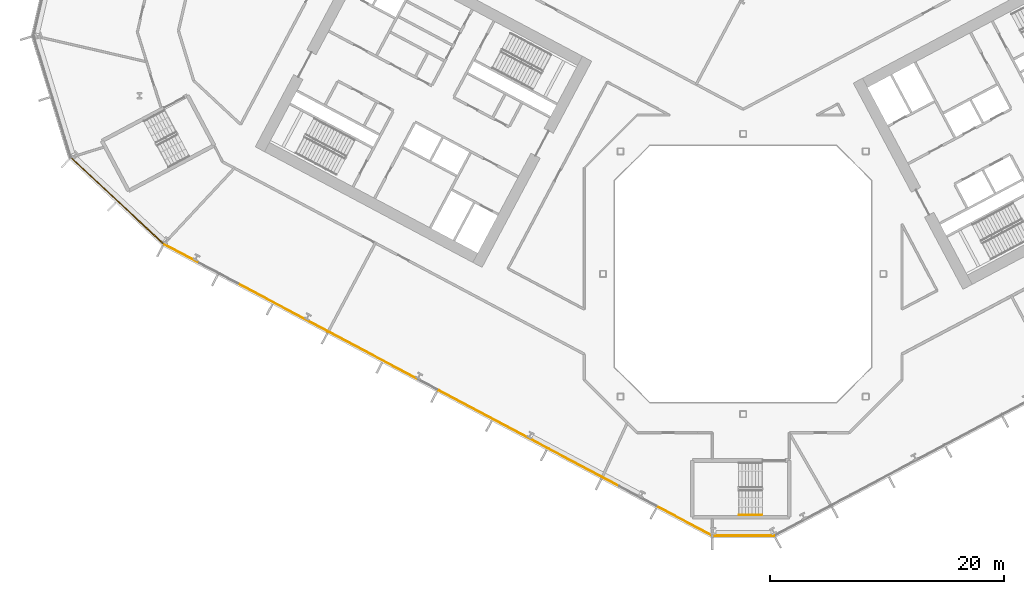
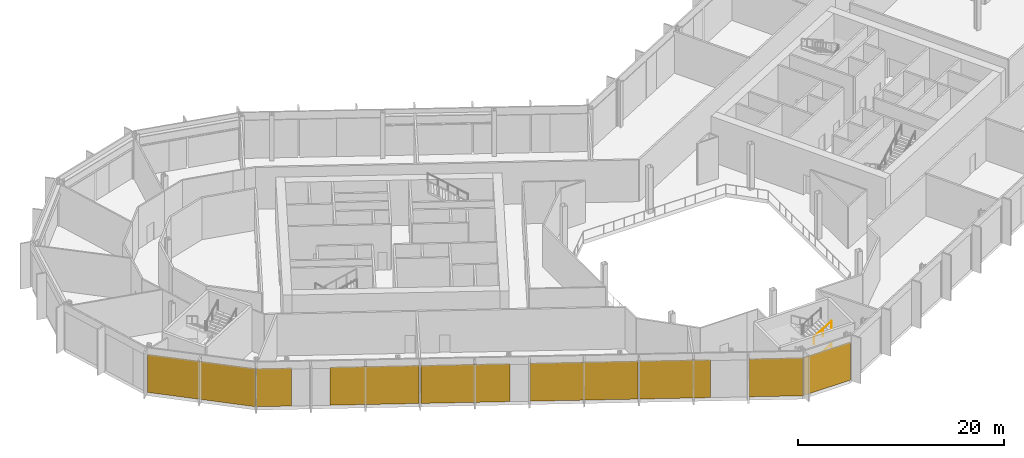
# One storey, part 19 of 30: 8 coverings, 2 railings, 3 elements without a shape of their own.
"""IFC4 building model written with IfcOpenShell, lengths in metres."""

from ifc_helpers import new_model, si_unit, direction, frame, origin, origin_2d, place, context, subcontext, project, spatial, polyline, rectangle, outline, extrude, material, layer, layer_set, type_object, element, aggregate, save


model = new_model("IFC4")

# Units and contexts
model_context = context("Model", 3, precision=1e-05, world=origin(), true_north=direction((0.0, 1.0)))
body_context = subcontext(model_context, "Body", "Model", "MODEL_VIEW")
ifc_project = project(units=[si_unit("LENGTHUNIT", "METRE"), si_unit("AREAUNIT", "SQUARE_METRE"), si_unit("VOLUMEUNIT", "CUBIC_METRE"), si_unit("PLANEANGLEUNIT", "RADIAN"), si_unit("MASSUNIT", "GRAM", prefix="KILO")], contexts=[model_context])

# Site, building, storey
site_placement = place(None, origin())
site = spatial("IfcSite", under=ifc_project, at=site_placement, CompositionType="ELEMENT")
building_placement = place(site_placement, origin())
building = spatial("IfcBuilding", under=site, at=building_placement, Name="Cormorant Relay Tower", CompositionType="ELEMENT")
storey_placement = place(building_placement, frame((0.0, 0.0, 44.60009765625)))
storey = spatial("IfcBuildingStorey", under=building, at=storey_placement, Name="L08", CompositionType="ELEMENT", Elevation=44.60009765625)

# Curtain wall, covering
ifc_material_1 = material(Name="Aluminium 6063-T6 anodised bronze", Category="aluminium")
ifc_layer_1 = layer(ifc_material_1, 0.235107421875)
ifc_layer_set_1 = layer_set([ifc_layer_1], Name="CW6 data hall curtain wall with mineral wool panels")
curtain_wall_type = type_object("IfcCurtainWallType", Name="CW6 data hall curtain wall with mineral wool panels", PredefinedType="NOTDEFINED", material=ifc_layer_set_1)
curtain_wall_1_placement = place(storey_placement, origin())
curtain_wall_1 = element("IfcCurtainWall", 1, at=curtain_wall_1_placement, inside=storey, type_object=curtain_wall_type, Name="CW6 curtain wall 1", PredefinedType="NOTDEFINED")
ifc_material_2 = material(Name="Mineral wool cored anodised bronze aluminium cassette panel", Category="aluminium")
ifc_layer_2 = layer(ifc_material_2, 0.074951171875)
ifc_layer_set_2 = layer_set([ifc_layer_2], Name="CW6 mineral wool cassette panel 75")
covering_type = type_object("IfcCoveringType", Name="CW6 mineral wool cassette panel 75", PredefinedType="CLADDING", material=ifc_layer_set_2)
covering_1_placement = place(storey_placement, frame((0.03759765625, -22.4130859375, 0.0), z_axis=(0.0, 0.0, 1.0), x_axis=(1.0, 0.0, 0.0)))
covering_1 = element("IfcCovering", 2, at=covering_1_placement, type_object=covering_type, Name="CW6 panel S00", PredefinedType="CLADDING", context=body_context, shape_type="SweptSolid", body=[
    extrude(rectangle(XDim=5.22265625, YDim=0.074951171875, at=origin_2d()), origin(), (0.0, 0.0, 1.0), 4.5),
])
aggregate(curtain_wall_1, [covering_1])

curtain_wall_2_placement = place(storey_placement, origin())
curtain_wall_2 = element("IfcCurtainWall", 3, at=curtain_wall_2_placement, inside=storey, type_object=curtain_wall_type, Name="CW6 curtain wall 13", PredefinedType="NOTDEFINED")
covering_2_placement = place(storey_placement, frame((-53.564697265625, 6.238037109375, 0.0), z_axis=(0.0, 0.0, 1.0), x_axis=(0.731353701619, -0.681998360062, 0.0)))
covering_2 = element("IfcCovering", 4, at=covering_2_placement, type_object=covering_type, Name="CW6 panel S00", PredefinedType="CLADDING", context=body_context, shape_type="SweptSolid", body=[
    extrude(rectangle(XDim=10.79541015625, YDim=0.074951171875, at=origin_2d()), origin(), (0.0, 0.0, 1.0), 4.5),
])
aggregate(curtain_wall_2, [covering_2])

# Curtain wall, coverings
curtain_wall_3_placement = place(storey_placement, origin())
curtain_wall_3 = element("IfcCurtainWall", 5, at=curtain_wall_3_placement, inside=storey, type_object=curtain_wall_type, Name="CW6 curtain wall 14", PredefinedType="NOTDEFINED")
covering_3_placement = place(storey_placement, frame((-48.056640625, 1.7255859375, 0.0), z_axis=(0.0, 0.0, 1.0), x_axis=(0.882947592859, -0.469471562786, 0.0)))
covering_3 = element("IfcCovering", 6, at=covering_3_placement, type_object=covering_type, Name="CW6 panel S00", PredefinedType="CLADDING", context=body_context, shape_type="SweptSolid", body=[
    extrude(rectangle(XDim=3.36669921875, YDim=0.074951171875, at=origin_2d()), origin(), (0.0, 0.0, 1.0), 4.5),
])
covering_4_placement = place(storey_placement, frame((-39.426025390625, -2.86328125, 0.0), z_axis=(0.0, 0.0, 1.0), x_axis=(0.882947592859, -0.469471562786, 0.0)))
covering_4 = element("IfcCovering", 7, at=covering_4_placement, type_object=covering_type, Name="CW6 panel S03", PredefinedType="CLADDING", context=body_context, shape_type="SweptSolid", body=[
    extrude(rectangle(XDim=8.68310546875, YDim=0.074951171875, at=origin_2d()), origin(), (0.0, 0.0, 1.0), 4.5),
])
covering_5_placement = place(storey_placement, frame((-31.626708984375, -7.01025390625, 0.0), z_axis=(0.0, 0.0, 1.0), x_axis=(0.882947592859, -0.469471562786, 0.0)))
covering_5 = element("IfcCovering", 8, at=covering_5_placement, type_object=covering_type, Name="CW6 panel S04", PredefinedType="CLADDING", context=body_context, shape_type="SweptSolid", body=[
    extrude(rectangle(XDim=8.68310546875, YDim=0.074951171875, at=origin_2d()), origin(), (0.0, 0.0, 1.0), 4.5),
])
covering_6_placement = place(storey_placement, frame((-21.443603515625, -12.4248046875, 0.0), z_axis=(0.0, 0.0, 1.0), x_axis=(0.882947592859, -0.469471562786, 0.0)))
covering_6 = element("IfcCovering", 9, at=covering_6_placement, type_object=covering_type, Name="CW6 panel S06", PredefinedType="CLADDING", context=body_context, shape_type="SweptSolid", body=[
    extrude(rectangle(XDim=10.483154296875, YDim=0.074951171875, at=origin_2d()), origin(), (0.0, 0.0, 1.0), 4.5),
])
covering_7_placement = place(storey_placement, frame((-13.644287109375, -16.571533203125, 0.0), z_axis=(0.0, 0.0, 1.0), x_axis=(0.882947592859, -0.469471562786, 0.0)))
covering_7 = element("IfcCovering", 10, at=covering_7_placement, type_object=covering_type, Name="CW6 panel S07", PredefinedType="CLADDING", context=body_context, shape_type="SweptSolid", body=[
    extrude(rectangle(XDim=6.88330078125, YDim=0.074951171875, at=origin_2d()), origin(), (0.0, 0.0, 1.0), 4.5),
])
covering_8_placement = place(storey_placement, frame((-4.98046875, -21.17822265625, 0.0), z_axis=(0.0, 0.0, 1.0), x_axis=(0.882947592859, -0.469471562786, 0.0)))
covering_8 = element("IfcCovering", 11, at=covering_8_placement, type_object=covering_type, Name="CW6 panel S09", PredefinedType="CLADDING", context=body_context, shape_type="SweptSolid", body=[
    extrude(rectangle(XDim=5.24169921875, YDim=0.074951171875, at=origin_2d()), origin(), (0.0, 0.0, 1.0), 4.5),
])
aggregate(curtain_wall_3, [covering_3, covering_4, covering_5, covering_6, covering_7, covering_8])

# Railings
ifc_material_3 = material(Name="Steel ASTM A572 Grade 50 (Fy 345 MPa)", Category="steel")
railing_type = type_object("IfcRailingType", Name="Stair handrail 900", PredefinedType="HANDRAIL", material=ifc_material_3)
railing_1_placement = place(storey_placement, frame((-0.360107421875, -20.625, 1.5185546875)))
element("IfcRailing", 12, at=railing_1_placement, inside=storey, type_object=railing_type, Name="L08 RK1 stair handrail 2", PredefinedType="HANDRAIL", context=body_context, shape_type="SweptSolid", body=[
    extrude(outline(polyline([(0.022216796875, 0.00927734375), (0.00927734375, 0.022216796875), (-0.00927734375, 0.022216796875), (-0.022216796875, 0.00927734375), (-0.022216796875, -0.00927734375), (-0.00927734375, -0.022216796875), (0.00927734375, -0.022216796875), (0.022216796875, -0.00927734375), (0.022216796875, 0.00927734375)])), frame((0.0, 0.0, 0.8759765625), z_axis=(0.856474724393, 0.0, 0.516188963923), x_axis=(0.0, 1.0, 0.0)), (0.0, 0.0, 1.0), 2.28857421875),
    extrude(outline(polyline([(0.019287109375, 0.008056640625), (0.008056640625, 0.019287109375), (-0.008056640625, 0.019287109375), (-0.019287109375, 0.008056640625), (-0.019287109375, -0.008056640625), (-0.008056640625, -0.019287109375), (0.008056640625, -0.019287109375), (0.019287109375, -0.008056640625), (0.019287109375, 0.008056640625)])), origin(), (0.0, 0.0, 1.0), 0.851806640625),
    extrude(outline(polyline([(0.019287109375, 0.008056640625), (0.008056640625, 0.019287109375), (-0.008056640625, 0.019287109375), (-0.019287109375, 0.008056640625), (-0.019287109375, -0.008056640625), (-0.008056640625, -0.019287109375), (0.008056640625, -0.019287109375), (0.019287109375, -0.008056640625), (0.019287109375, 0.008056640625)])), frame((0.97998046875, 0.0, 0.5908203125)), (0.0, 0.0, 1.0), 0.851806640625),
    extrude(outline(polyline([(0.019287109375, 0.008056640625), (0.008056640625, 0.019287109375), (-0.008056640625, 0.019287109375), (-0.019287109375, 0.008056640625), (-0.019287109375, -0.008056640625), (-0.008056640625, -0.019287109375), (0.008056640625, -0.019287109375), (0.019287109375, -0.008056640625), (0.019287109375, 0.008056640625)])), frame((1.960205078125, 0.0, 1.181396484375)), (0.0, 0.0, 1.0), 0.851806640625),
])
railing_2_placement = place(storey_placement, frame((-0.360107421875, -20.625, 4.21875)))
element("IfcRailing", 13, at=railing_2_placement, inside=storey, type_object=railing_type, Name="L08 RK1 stair handrail 4", PredefinedType="HANDRAIL", context=body_context, shape_type="SweptSolid", body=[
    extrude(outline(polyline([(0.022216796875, 0.00927734375), (0.00927734375, 0.022216796875), (-0.00927734375, 0.022216796875), (-0.022216796875, 0.00927734375), (-0.022216796875, -0.00927734375), (-0.00927734375, -0.022216796875), (0.00927734375, -0.022216796875), (0.022216796875, -0.00927734375), (0.022216796875, 0.00927734375)])), frame((0.0, 0.0, 0.8759765625), z_axis=(0.856521883693, 0.0, 0.516110707847), x_axis=(0.0, 1.0, 0.0)), (0.0, 0.0, 1.0), 2.28857421875),
    extrude(outline(polyline([(0.019287109375, 0.008056640625), (0.008056640625, 0.019287109375), (-0.008056640625, 0.019287109375), (-0.019287109375, 0.008056640625), (-0.019287109375, -0.008056640625), (-0.008056640625, -0.019287109375), (0.008056640625, -0.019287109375), (0.019287109375, -0.008056640625), (0.019287109375, 0.008056640625)])), origin(), (0.0, 0.0, 1.0), 0.851806640625),
    extrude(outline(polyline([(0.019287109375, 0.008056640625), (0.008056640625, 0.019287109375), (-0.008056640625, 0.019287109375), (-0.019287109375, 0.008056640625), (-0.019287109375, -0.008056640625), (-0.008056640625, -0.019287109375), (0.008056640625, -0.019287109375), (0.019287109375, -0.008056640625), (0.019287109375, 0.008056640625)])), frame((0.97998046875, 0.0, 0.590576171875)), (0.0, 0.0, 1.0), 0.851806640625),
    extrude(outline(polyline([(0.019287109375, 0.008056640625), (0.008056640625, 0.019287109375), (-0.008056640625, 0.019287109375), (-0.019287109375, 0.008056640625), (-0.019287109375, -0.008056640625), (-0.008056640625, -0.019287109375), (0.008056640625, -0.019287109375), (0.019287109375, -0.008056640625), (0.019287109375, 0.008056640625)])), frame((1.960205078125, 0.0, 1.18115234375)), (0.0, 0.0, 1.0), 0.851806640625),
])

save(model, "model.ifc")
